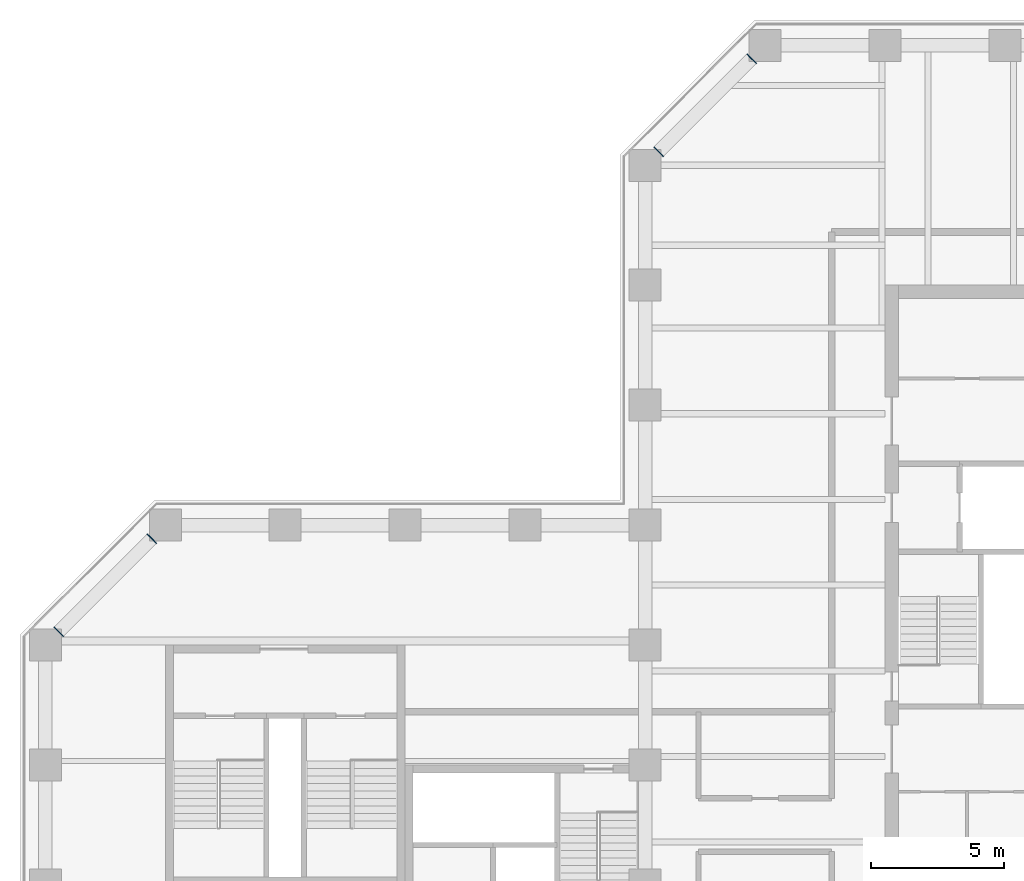
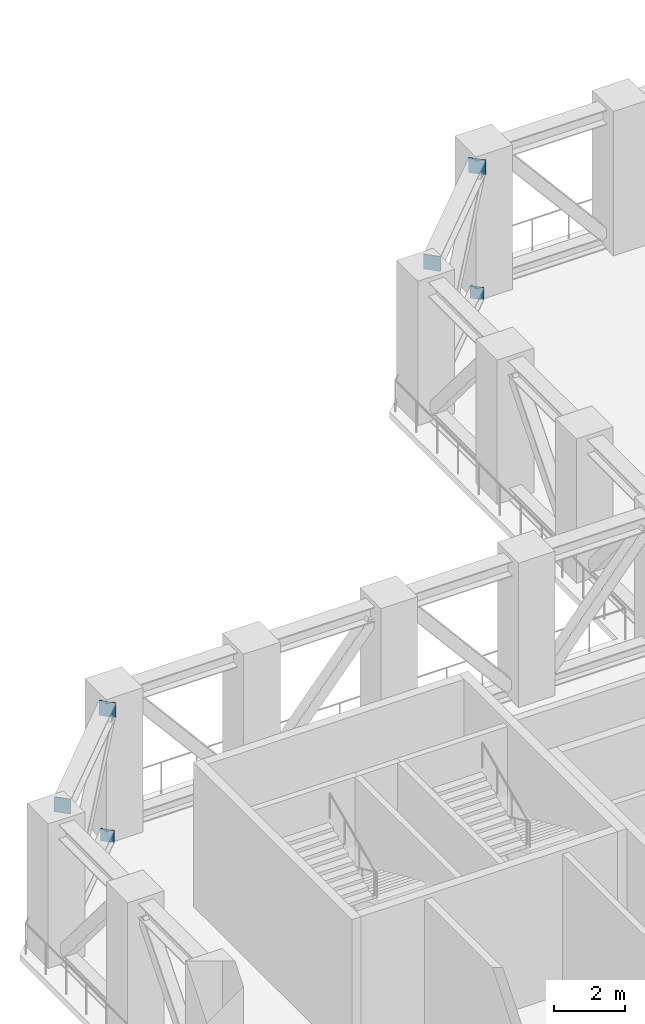
# One storey, part 12 of 16: 6 discrete accessories.
"""IFC4 building model written with IfcOpenShell, lengths in metres."""

from ifc_helpers import new_model, si_unit, direction, frame, origin, origin_2d, place, context, subcontext, project, spatial, rectangle, extrude, material, element, save


model = new_model("IFC4")

# Units and contexts
model_context = context("Model", 3, precision=1e-05, world=origin(), true_north=direction((0.0, 1.0)))
body_context = subcontext(model_context, "Body", "Model", "MODEL_VIEW")
ifc_project = project(units=[si_unit("LENGTHUNIT", "METRE"), si_unit("AREAUNIT", "SQUARE_METRE"), si_unit("VOLUMEUNIT", "CUBIC_METRE"), si_unit("PLANEANGLEUNIT", "RADIAN"), si_unit("MASSUNIT", "GRAM", prefix="KILO")], contexts=[model_context])

# Site, building, storey
site_placement = place(None, origin())
site = spatial("IfcSite", under=ifc_project, at=site_placement, CompositionType="ELEMENT")
building_placement = place(site_placement, origin())
building = spatial("IfcBuilding", under=site, at=building_placement, Name="Quoin Convention Tower", CompositionType="ELEMENT")
storey_placement = place(building_placement, frame((0.0, 0.0, 69.300048828125)))
storey = spatial("IfcBuildingStorey", under=building, at=storey_placement, Name="L18", CompositionType="ELEMENT", Elevation=69.300048828125)

# Discrete accessories
ifc_material = material(Name="Steel Grade 350", Category="steel")
discrete_accessory_1_placement = place(storey_placement, frame((39.99560546875, 80.49560546875, 0.0), z_axis=(0.0, 0.0, 1.0), x_axis=(0.707106781187, 0.707106781187, 0.0)))
element("IfcDiscreteAccessory", 1, at=discrete_accessory_1_placement, inside=storey, material=ifc_material, Name="TRUSS END PLATE TRS-L18-BC-40500_81000-36000_76500 A", ObjectType="Truss end plate", PredefinedType="USERDEFINED", context=body_context, shape_type="SweptSolid", body=[
    extrude(rectangle(XDim=0.030029296875, YDim=0.39990234375, at=origin_2d()), origin(), (0.0, 0.0, 1.0), 0.422119140625),
])
for number, where, z_axis, x_axis, name in (
    (2, (39.99560546875, 80.49560546875, 4.3359375), (0.0, 0.0, 1.0), (0.707106781187, 0.707106781187, 0.0), "TRUSS END PLATE TRS-L18-TC-40500_81000-36000_76500 A"),
    (3, (36.50439453125, 77.00439453125, 4.3359375), (0.0, 0.0, 1.0), (-0.707106781187, -0.707106781187, 0.0), "TRUSS END PLATE TRS-L18-TC-40500_81000-36000_76500 B"),
):
    element("IfcDiscreteAccessory", number, at=place(storey_placement, frame(where, z_axis=z_axis, x_axis=x_axis)), inside=storey, material=ifc_material, Name=name, ObjectType="Truss end plate", PredefinedType="USERDEFINED", context=body_context, shape_type="SweptSolid", body=[
        extrude(rectangle(XDim=0.030029296875, YDim=0.5, at=origin_2d()), origin(), (0.0, 0.0, 1.0), 0.513916015625),
    ])
discrete_accessory_2_placement = place(storey_placement, frame((17.49560546875, 62.49560546875, 0.0), z_axis=(0.0, 0.0, 1.0), x_axis=(0.707106781187, 0.707106781187, 0.0)))
element("IfcDiscreteAccessory", 4, at=discrete_accessory_2_placement, inside=storey, material=ifc_material, Name="TRUSS END PLATE TRS-L18-BC-18000_63000-13500_58500 A", ObjectType="Truss end plate", PredefinedType="USERDEFINED", context=body_context, shape_type="SweptSolid", body=[
    extrude(rectangle(XDim=0.030029296875, YDim=0.39990234375, at=origin_2d()), origin(), (0.0, 0.0, 1.0), 0.422119140625),
])
for number, where, z_axis, x_axis, name in (
    (5, (17.49560546875, 62.49560546875, 4.3359375), (0.0, 0.0, 1.0), (0.707106781187, 0.707106781187, 0.0), "TRUSS END PLATE TRS-L18-TC-18000_63000-13500_58500 A"),
    (6, (14.00439453125, 59.00439453125, 4.3359375), (0.0, 0.0, 1.0), (-0.707106781187, -0.707106781187, 0.0), "TRUSS END PLATE TRS-L18-TC-18000_63000-13500_58500 B"),
):
    element("IfcDiscreteAccessory", number, at=place(storey_placement, frame(where, z_axis=z_axis, x_axis=x_axis)), inside=storey, material=ifc_material, Name=name, ObjectType="Truss end plate", PredefinedType="USERDEFINED", context=body_context, shape_type="SweptSolid", body=[
        extrude(rectangle(XDim=0.030029296875, YDim=0.5, at=origin_2d()), origin(), (0.0, 0.0, 1.0), 0.513916015625),
    ])

save(model, "model.ifc")
